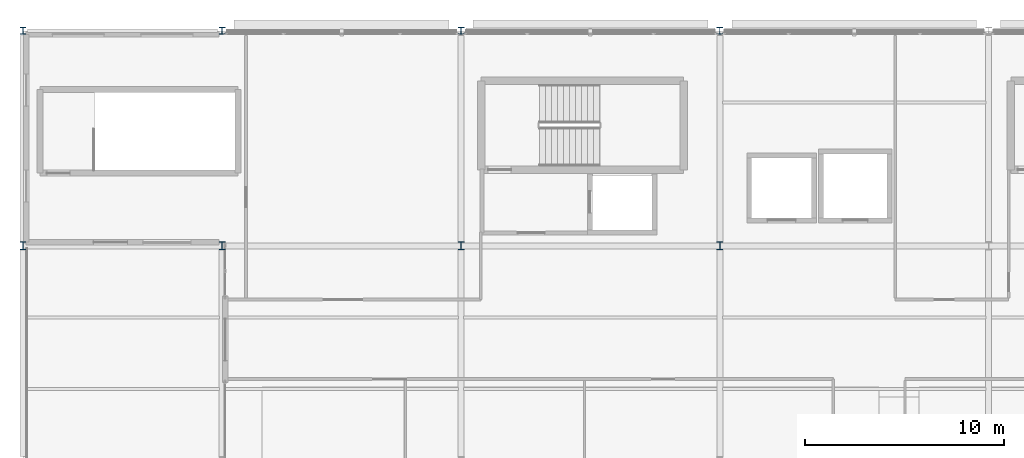
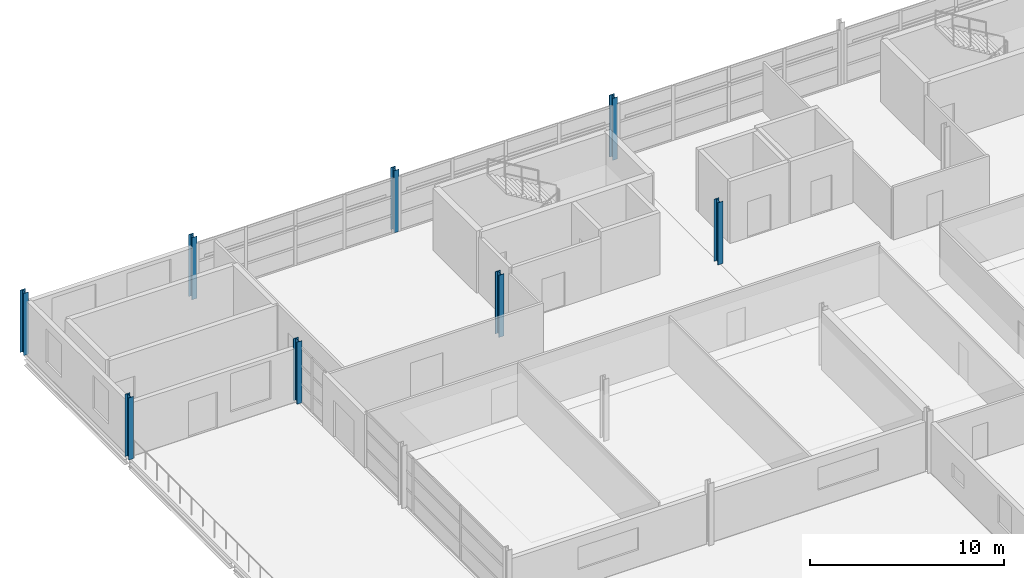
# One storey, part 3 of 33: 8 columns.
"""IFC4 building model written with IfcOpenShell, lengths in metres."""

from ifc_helpers import new_model, si_unit, direction, frame, origin, origin_2d, place, context, subcontext, project, spatial, i_section, extrude, material, material_profile, profile_set, type_object, element, save


model = new_model("IFC4")

# Units and contexts
model_context = context("Model", 3, precision=1e-05, world=origin(), true_north=direction((0.0, 1.0)))
body_context = subcontext(model_context, "Body", "Model", "MODEL_VIEW")
ifc_project = project(units=[si_unit("LENGTHUNIT", "METRE"), si_unit("AREAUNIT", "SQUARE_METRE"), si_unit("VOLUMEUNIT", "CUBIC_METRE"), si_unit("PLANEANGLEUNIT", "RADIAN"), si_unit("MASSUNIT", "GRAM", prefix="KILO")], contexts=[model_context])

# Site, building, storey
site_placement = place(None, origin())
site = spatial("IfcSite", under=ifc_project, at=site_placement, CompositionType="ELEMENT")
building_placement = place(site_placement, origin())
building = spatial("IfcBuilding", under=site, at=building_placement, Name="Tamarisk Ironworks Central Station", CompositionType="ELEMENT")
storey_placement = place(building_placement, frame((0.0, 0.0, 21.300048828125)))
storey = spatial("IfcBuildingStorey", under=building, at=storey_placement, Name="L04", CompositionType="ELEMENT", Elevation=21.300048828125)

# Columns
ifc_material = material(Name="Structural steel S355J2", Category="steel")
ifc_material_profile_1 = material_profile(ifc_material, i_section(OverallWidth=0.300048828125, OverallDepth=0.39990234375, WebThickness=0.013427734375, FlangeThickness=0.02392578125, at=origin_2d()), Name="HEB 400")
ifc_profile_set_1 = profile_set([ifc_material_profile_1], Name="Structural steel S355J2")
column_type_1 = type_object("IfcColumnType", Name="COL-S09", PredefinedType="COLUMN", material=ifc_profile_set_1)
for number, where, z_axis, x_axis, name in (
    (1, (118.0, 111.60009765625, 0.0), (0.0, 0.0, 1.0), (1.0, 0.0, 0.0), "L04 column V5-15L"),
    (2, (128.0, 111.60009765625, 0.0), (0.0, 0.0, 1.0), (1.0, 0.0, 0.0), "L04 column V5-16L"),
    (3, (140.0, 111.60009765625, 0.0), (0.0, 0.0, 1.0), (1.0, 0.0, 0.0), "L04 column V5-17L"),
    (4, (153.0, 111.60009765625, 0.0), (0.0, 0.0, 1.0), (1.0, 0.0, 0.0), "L04 column V5-18L"),
):
    element("IfcColumn", number, at=place(storey_placement, frame(where, z_axis=z_axis, x_axis=x_axis)), inside=storey, type_object=column_type_1, Name=name, PredefinedType="COLUMN", context=body_context, shape_type="SweptSolid", body=[
        extrude(i_section(OverallWidth=0.300048828125, OverallDepth=0.39990234375, WebThickness=0.013427734375, FlangeThickness=0.02392578125, at=origin_2d()), origin(), (0.0, 0.0, 1.0), 3.89990234375),
    ])
ifc_material_profile_2 = material_profile(ifc_material, i_section(OverallWidth=0.300048828125, OverallDepth=0.360107421875, WebThickness=0.012451171875, FlangeThickness=0.0224609375, at=origin_2d()), Name="HEB 360")
ifc_profile_set_2 = profile_set([ifc_material_profile_2], Name="Structural steel S355J2")
column_type_2 = type_object("IfcColumnType", Name="COL-S10", PredefinedType="COLUMN", material=ifc_profile_set_2)
for number, where, z_axis, x_axis, name in (
    (5, (118.0, 122.39990234375, 0.0), (0.0, 0.0, 1.0), (1.0, 0.0, 0.0), "L04 column V5-15N"),
    (6, (128.0, 122.39990234375, 0.0), (0.0, 0.0, 1.0), (1.0, 0.0, 0.0), "L04 column V5-16N"),
    (7, (140.0, 122.39990234375, 0.0), (0.0, 0.0, 1.0), (1.0, 0.0, 0.0), "L04 column V5-17N"),
    (8, (153.0, 122.39990234375, 0.0), (0.0, 0.0, 1.0), (1.0, 0.0, 0.0), "L04 column V5-18N"),
):
    element("IfcColumn", number, at=place(storey_placement, frame(where, z_axis=z_axis, x_axis=x_axis)), inside=storey, type_object=column_type_2, Name=name, PredefinedType="COLUMN", context=body_context, shape_type="SweptSolid", body=[
        extrude(i_section(OverallWidth=0.300048828125, OverallDepth=0.360107421875, WebThickness=0.012451171875, FlangeThickness=0.0224609375, at=origin_2d()), origin(), (0.0, 0.0, 1.0), 3.89990234375),
    ])

save(model, "model.ifc")
